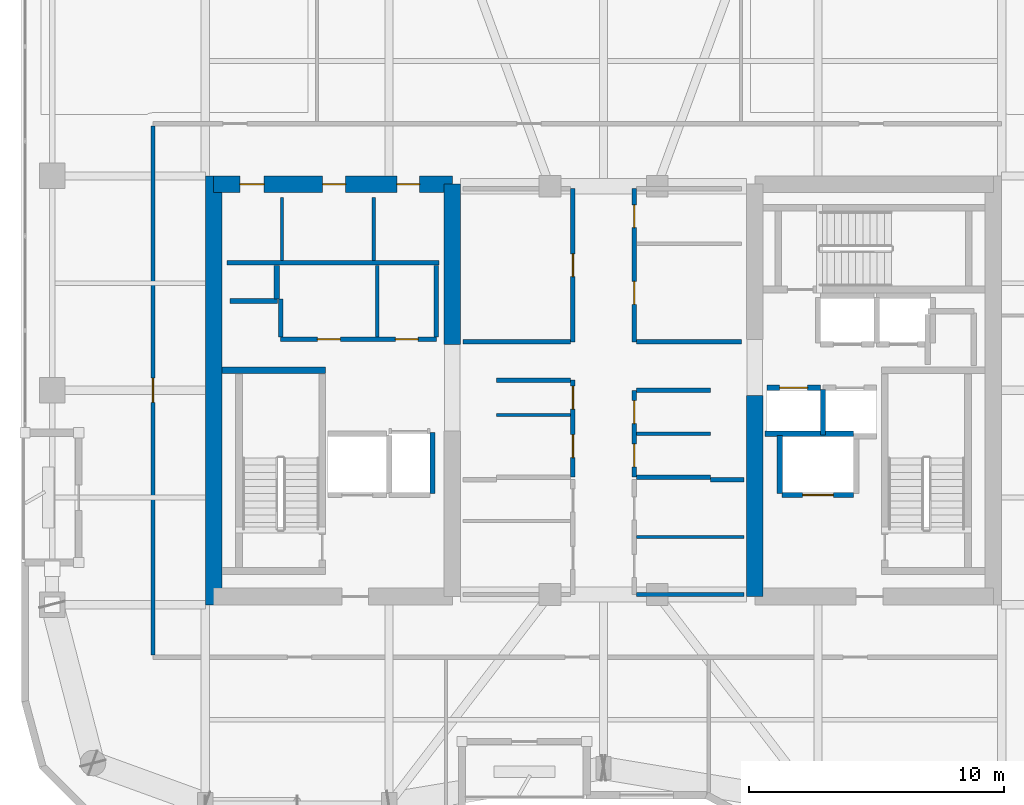
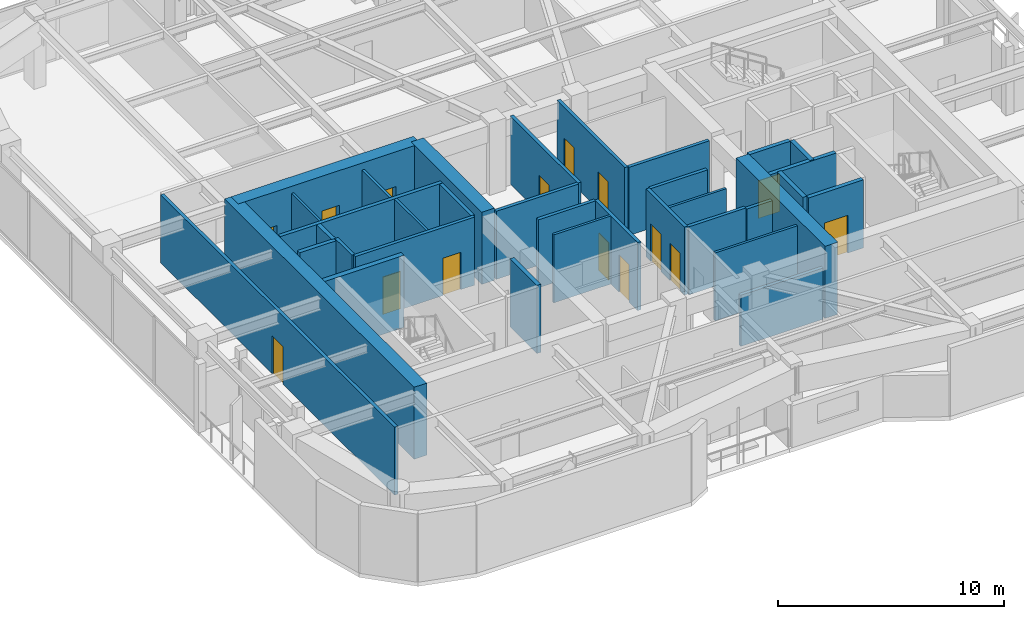
# One storey, part 16 of 21: 35 walls, 15 doors, 15 openings.
"""IFC4 building model written with IfcOpenShell, lengths in metres."""

import ifcopenshell
import ifcopenshell.guid

model = None  # the IFC model being written
_history = None  # IfcOwnerHistory: only IFC2X3 demands one
_inside = {}  # id of a spatial element -> (the spatial element, [elements in it])
_under = {}  # id of a project, library or spatial element -> (it, [spatial elements below it])
_declared = {}  # id of a project -> (the project, [libraries it declares])
_typed = {}  # id of a type object -> (the type object, [elements of that type])
_made_of = {}  # id of a material, layer set ... -> (it, [elements and type objects made of it])


def new_model(schema):
    """Start an empty IFC model of exactly this schema.

    Asked for "IFC4X3", IfcOpenShell would pick the latest addendum, in which some entities
    have other attributes; the version numbers below select the first issue.
    IFC2X3 requires an IfcOwnerHistory on every rooted entity: one is made here for all.
    """
    global model, _history
    if schema == "IFC4X3":
        model = ifcopenshell.file(schema_version=(4, 3, 0, 0))
    else:
        model = ifcopenshell.file(schema=schema)
    _inside.clear()
    _under.clear()
    _declared.clear()
    _typed.clear()
    _made_of.clear()
    _history = None
    if model.schema == "IFC2X3":
        org = make("IfcOrganization", Name="unknown")
        user = make(
            "IfcPersonAndOrganization",
            ThePerson=make("IfcPerson", FamilyName="unknown"),
            TheOrganization=org,
        )
        app = make(
            "IfcApplication",
            ApplicationDeveloper=org,
            Version="unknown",
            ApplicationFullName="unknown",
            ApplicationIdentifier="unknown",
        )
        _history = make(
            "IfcOwnerHistory",
            OwningUser=user,
            OwningApplication=app,
            ChangeAction="ADDED",
            CreationDate=0,
        )
    return model


def make(cls, **values):
    """One entity of the class cls with the attributes given. An attribute that is None is left unset."""
    return model.create_entity(
        cls, **{name: value for name, value in values.items() if value is not None}
    )


def rooted(cls, **values):
    """An entity with a GlobalId (a new one), such as an element, a storey or a relation."""
    return make(cls, GlobalId=ifcopenshell.guid.new(), OwnerHistory=_history, **values)


def si_unit(unit_type, name, prefix=None):
    """IfcSIUnit, for example si_unit("LENGTHUNIT", "METRE", prefix="MILLI")."""
    return make("IfcSIUnit", UnitType=unit_type, Prefix=prefix, Name=name)


def assignment(units):
    """IfcUnitAssignment: the units of a project."""
    return None if units is None else make("IfcUnitAssignment", Units=units)


def point(xyz):
    """IfcCartesianPoint."""
    return None if xyz is None else make("IfcCartesianPoint", Coordinates=xyz)


def direction(xyz):
    """IfcDirection."""
    return None if xyz is None else make("IfcDirection", DirectionRatios=xyz)


def frame(location, z_axis=None, x_axis=None):
    """IfcAxis2Placement3D, a coordinate frame: its origin and axes. An axis left out is left unset."""
    return make(
        "IfcAxis2Placement3D",
        Location=point(location),
        Axis=direction(z_axis),
        RefDirection=direction(x_axis),
    )


def frame_2d(location, x_axis=None):
    """IfcAxis2Placement2D, a coordinate frame in the plane: its origin and x axis."""
    return make(
        "IfcAxis2Placement2D", Location=point(location), RefDirection=direction(x_axis)
    )


def origin():
    """The frame at (0, 0, 0) with its axes left unset."""
    return frame((0.0, 0.0, 0.0))


def place(relative_to, where):
    """IfcLocalPlacement: puts the frame where relative to a parent placement (None: the world)."""
    return make(
        "IfcLocalPlacement", PlacementRelTo=relative_to, RelativePlacement=where
    )


def context(
    kind, dimensions, precision=None, world=None, true_north=None, identifier=None
):
    """IfcGeometricRepresentationContext, for example the 3D "Model" context."""
    return make(
        "IfcGeometricRepresentationContext",
        ContextIdentifier=identifier,
        ContextType=kind,
        CoordinateSpaceDimension=dimensions,
        Precision=precision,
        WorldCoordinateSystem=world,
        TrueNorth=true_north,
    )


def subcontext(parent, identifier, kind, view, scale=None):
    """IfcGeometricRepresentationSubContext, for example "Body" below "Model"."""
    return make(
        "IfcGeometricRepresentationSubContext",
        ContextIdentifier=identifier,
        ContextType=kind,
        ParentContext=parent,
        TargetScale=scale,
        TargetView=view,
    )


def project(units=None, contexts=None):
    """IfcProject with its units and contexts."""
    return rooted(
        "IfcProject",
        Name="project",
        RepresentationContexts=contexts,
        UnitsInContext=assignment(units),
    )


def spatial(cls, under=None, at=None, **own):
    """A site, building, storey or space (cls), placed at a placement, below another one or the project."""
    s = rooted(cls, ObjectPlacement=at, **own)
    if under is not None:
        _under.setdefault(under.id(), (under, []))[1].append(s)
    return s


def profile(cls, at=None, kind="AREA", **sizes):
    """A parametric profile (cls). Its sizes go by their IFC names, for example OverallWidth=200.0."""
    return make(cls, ProfileType=kind, Position=at, **sizes)


def rectangle(**sizes):
    """IfcRectangleProfileDef."""
    return profile("IfcRectangleProfileDef", **sizes)


def extrude(swept, where, along, depth):
    """IfcExtrudedAreaSolid: the profile swept, set in the frame where, extruded along a direction by depth."""
    return make(
        "IfcExtrudedAreaSolid",
        SweptArea=swept,
        Position=where,
        ExtrudedDirection=direction(along),
        Depth=depth,
    )


def shape(context_of_items, identifier, shape_type, items):
    """IfcShapeRepresentation: the items that make up one representation, for example the "Body"."""
    return make(
        "IfcShapeRepresentation",
        ContextOfItems=context_of_items,
        RepresentationIdentifier=identifier,
        RepresentationType=shape_type,
        Items=items,
    )


def material(Name=None, Category=None):
    """IfcMaterial."""
    return make("IfcMaterial", Name=Name, Category=Category)


def layer(
    of_material, thickness, ventilated=None, Name=None, Category=None, Priority=None
):
    """IfcMaterialLayer: one layer of a wall or slab, of a material (None: an air gap)."""
    return make(
        "IfcMaterialLayer",
        Material=of_material,
        LayerThickness=thickness,
        IsVentilated=ventilated,
        Name=Name,
        Category=Category,
        Priority=Priority,
    )


def layer_set(layers, Name=None):
    """IfcMaterialLayerSet."""
    return make("IfcMaterialLayerSet", MaterialLayers=layers, LayerSetName=Name)


def made_of(thing, what):
    """Note that an element or type object is made of a material, layer set ...; save() writes the relation."""
    if what is not None:
        _made_of.setdefault(what.id(), (what, []))[1].append(thing)
    return thing


def type_object(cls, material=None, **own):
    """A type object (cls), such as IfcWallType, which elements share."""
    return made_of(rooted(cls, **own), material)


def element(
    cls,
    number,
    at=None,
    inside=None,
    cuts=None,
    type_object=None,
    material=None,
    context=None,
    identifier="Body",
    shape_type=None,
    held_by="IfcProductDefinitionShape",
    body=None,
    shapes=None,
    **own,
):
    """One element of the class cls, such as IfcWall. Its Tag is "e" and its number.

    at: its placement. inside: the storey or other place that contains it. cuts: it is an
    opening in that element (IfcRelVoidsElement). A single representation is given by context,
    identifier, shape_type and body (its items); several are given by shapes. held_by: the class
    of the entity that holds the representations. save() writes the other relations.
    """
    e = rooted(cls, Tag="e%d" % number, ObjectPlacement=at, **own)
    if body is not None:
        shapes = [shape(context, identifier, shape_type, body)]
    if shapes is not None:
        e.Representation = make(held_by, Representations=shapes)
    if inside is not None:
        _inside.setdefault(inside.id(), (inside, []))[1].append(e)
    if cuts is not None:
        rooted(
            "IfcRelVoidsElement", RelatingBuildingElement=cuts, RelatedOpeningElement=e
        )
    if type_object is not None:
        _typed.setdefault(type_object.id(), (type_object, []))[1].append(e)
    return made_of(e, material)


def fill(opening, filler):
    """IfcRelFillsElement: the door or window that sits in an opening."""
    return rooted(
        "IfcRelFillsElement",
        RelatingOpeningElement=opening,
        RelatedBuildingElement=filler,
    )


def aggregate(whole, parts):
    """IfcRelAggregates: a whole, such as a stair, and the parts it consists of."""
    return rooted("IfcRelAggregates", RelatingObject=whole, RelatedObjects=parts)


def save(model, path):
    """Write the relations noted so far, then the file.

    IfcRelAggregates (storeys below a building ...), IfcRelContainedInSpatialStructure (elements
    in a storey), IfcRelDefinesByType, IfcRelAssociatesMaterial and IfcRelDeclares: one each for
    every whole, place, type object, material and project.
    """
    for whole, parts in _under.values():
        aggregate(whole, parts)
    for where, things in _inside.values():
        rooted(
            "IfcRelContainedInSpatialStructure",
            RelatedElements=things,
            RelatingStructure=where,
        )
    for kind, things in _typed.values():
        rooted("IfcRelDefinesByType", RelatedObjects=things, RelatingType=kind)
    for what, things in _made_of.values():
        rooted("IfcRelAssociatesMaterial", RelatedObjects=things, RelatingMaterial=what)
    for by, libraries in _declared.values():
        rooted("IfcRelDeclares", RelatingContext=by, RelatedDefinitions=libraries)
    model.write(path)


model = new_model("IFC4")

# Units and contexts
model_context = context("Model", 3, precision=1e-05, world=origin(), true_north=direction((0.0, 1.0)))
body_context = subcontext(model_context, "Body", "Model", "MODEL_VIEW")
ifc_project = project(units=[si_unit("LENGTHUNIT", "METRE"), si_unit("AREAUNIT", "SQUARE_METRE"), si_unit("VOLUMEUNIT", "CUBIC_METRE"), si_unit("PLANEANGLEUNIT", "RADIAN"), si_unit("MASSUNIT", "GRAM", prefix="KILO")], contexts=[model_context])

# Site, building, storey
site_placement = place(None, origin())
site = spatial("IfcSite", under=ifc_project, at=site_placement, CompositionType="ELEMENT")
building_placement = place(site_placement, origin())
building = spatial("IfcBuilding", under=site, at=building_placement, Name="Kiyonajd Concourse Tower", CompositionType="ELEMENT")
storey_placement = place(building_placement, frame((0.0, 0.0, 234.89990234375)))
storey = spatial("IfcBuildingStorey", under=building, at=storey_placement, Name="L59", CompositionType="ELEMENT", Elevation=234.89990234375)

# Walls
ifc_material_1 = material(Name="Concrete C60/75", Category="concrete")
ifc_layer_1 = layer(ifc_material_1, 0.64990234375)
ifc_layer_set_1 = layer_set([ifc_layer_1], Name="Concrete C60/75")
wall_type_1 = type_object("IfcWallType", Name="WL-CORE-650", PredefinedType="SHEAR", material=ifc_layer_set_1)
wall_1_placement = place(storey_placement, frame((32.72509765625, 27.60009765625, 0.0), z_axis=(0.0, 0.0, 1.0), x_axis=(0.0, 1.0, 0.0)))
element("IfcWall", 1, at=wall_1_placement, inside=storey, type_object=wall_type_1, Name="L59 West Core Outer Shear Wall", PredefinedType="SHEAR", context=body_context, shape_type="SweptSolid", body=[
    extrude(rectangle(XDim=16.7998046875, YDim=0.64990234375, at=frame_2d((8.39990234375, 0.0))), origin(), (0.0, 0.0, 1.0), 3.900146484375),
])
wall_2_placement = place(storey_placement, frame((42.074951171875, 37.800048828125, 0.0), z_axis=(0.0, 0.0, 1.0), x_axis=(0.0, 1.0, 0.0)))
element("IfcWall", 2, at=wall_2_placement, inside=storey, type_object=wall_type_1, Name="L59 West Core Inner North Shear Wall", PredefinedType="SHEAR", context=body_context, shape_type="SweptSolid", body=[
    extrude(rectangle(XDim=6.27490234375, YDim=0.64990234375, at=frame_2d((3.137451171875, 0.0))), origin(), (0.0, 0.0, 1.0), 3.900146484375),
])

# Wall, openings, doors
wall_3_placement = place(storey_placement, frame((32.72509765625, 44.074951171875, 0.0), z_axis=(0.0, 0.0, 1.0), x_axis=(1.0, 0.0, 0.0)))
wall_3 = element("IfcWall", 3, at=wall_3_placement, inside=storey, type_object=wall_type_1, Name="L59 West Core North Shear Wall", PredefinedType="SHEAR", context=body_context, shape_type="SweptSolid", body=[
    extrude(rectangle(XDim=9.349853515625, YDim=0.64990234375, at=frame_2d((4.6748046875, 0.0))), origin(), (0.0, 0.0, 1.0), 3.900146484375),
])
opening_1_placement = place(wall_3_placement, frame((1.02490234375, 0.0, 0.0)))
opening_1 = element("IfcOpeningElement", 4, at=opening_1_placement, cuts=wall_3, Name="Opening DI1", PredefinedType="OPENING", context=body_context, shape_type="SweptSolid", body=[
    extrude(rectangle(XDim=0.949951171875, YDim=2.0400390625, at=frame_2d((0.47509765625, 1.02001953125))), frame((0.0, 0.3349609375, 0.0), z_axis=(0.0, -1.0, 0.0), x_axis=(1.0, 0.0, 0.0)), (0.0, 0.0, 1.0), 0.669921875),
])
opening_2_placement = place(wall_3_placement, frame((4.27490234375, 0.0, 0.0)))
opening_2 = element("IfcOpeningElement", 5, at=opening_2_placement, cuts=wall_3, Name="Opening DI2", PredefinedType="OPENING", context=body_context, shape_type="SweptSolid", body=[
    extrude(rectangle(XDim=0.89990234375, YDim=2.02001953125, at=frame_2d((0.449951171875, 1.010009765625))), frame((0.0, 0.3349609375, 0.0), z_axis=(0.0, -1.0, 0.0), x_axis=(1.0, 0.0, 0.0)), (0.0, 0.0, 1.0), 0.669921875),
])
opening_3_placement = place(wall_3_placement, frame((7.175048828125, 0.0, 0.0)))
opening_3 = element("IfcOpeningElement", 6, at=opening_3_placement, cuts=wall_3, Name="Opening DI2", PredefinedType="OPENING", context=body_context, shape_type="SweptSolid", body=[
    extrude(rectangle(XDim=0.89990234375, YDim=2.02001953125, at=frame_2d((0.449951171875, 1.010009765625))), frame((0.0, 0.3349609375, 0.0), z_axis=(0.0, -1.0, 0.0), x_axis=(1.0, 0.0, 0.0)), (0.0, 0.0, 1.0), 0.669921875),
])
ifc_material_2 = material(Name="Natural Oak Acoustic Timber Veneer", Category="wood")
door_type_1 = type_object("IfcDoorType", Name="DR-INT-900", OperationType="NOTDEFINED", PredefinedType="DOOR", material=ifc_material_2)
door_1_placement = place(opening_2_placement, origin())
door_1 = element("IfcDoor", 7, at=door_1_placement, inside=storey, type_object=door_type_1, Name="L59 Male Restroom Door", OperationType="SINGLE_SWING_RIGHT", OverallHeight=2.02001953125, OverallWidth=0.89990234375, PredefinedType="DOOR", context=body_context, shape_type="SweptSolid", body=[
    extrude(rectangle(XDim=0.89990234375, YDim=2.02001953125, at=frame_2d((0.449951171875, 1.010009765625))), frame((0.0, 0.02490234375, 0.0), z_axis=(0.0, -1.0, 0.0), x_axis=(1.0, 0.0, 0.0)), (0.0, 0.0, 1.0), 0.050048828125),
])
fill(opening_2, door_1)
door_2_placement = place(opening_3_placement, origin())
door_2 = element("IfcDoor", 8, at=door_2_placement, inside=storey, type_object=door_type_1, Name="L59 Female Restroom Door", OperationType="SINGLE_SWING_LEFT", OverallHeight=2.02001953125, OverallWidth=0.89990234375, PredefinedType="DOOR", context=body_context, shape_type="SweptSolid", body=[
    extrude(rectangle(XDim=0.89990234375, YDim=2.02001953125, at=frame_2d((0.449951171875, 1.010009765625))), frame((0.0, 0.02490234375, 0.0), z_axis=(0.0, -1.0, 0.0), x_axis=(1.0, 0.0, 0.0)), (0.0, 0.0, 1.0), 0.050048828125),
])
fill(opening_3, door_2)
door_type_2 = type_object("IfcDoorType", Name="DR-INT-950", OperationType="NOTDEFINED", PredefinedType="DOOR", material=ifc_material_2)
door_3_placement = place(opening_1_placement, origin())
door_3 = element("IfcDoor", 9, at=door_3_placement, inside=storey, type_object=door_type_2, Name="L59 Single User Accessible WC Door", OperationType="SINGLE_SWING_LEFT", OverallHeight=2.0400390625, OverallWidth=0.949951171875, PredefinedType="DOOR", context=body_context, shape_type="SweptSolid", body=[
    extrude(rectangle(XDim=0.949951171875, YDim=2.0400390625, at=frame_2d((0.47509765625, 1.02001953125))), frame((0.0, 0.02490234375, 0.0), z_axis=(0.0, -1.0, 0.0), x_axis=(1.0, 0.0, 0.0)), (0.0, 0.0, 1.0), 0.050048828125),
])
fill(opening_1, door_3)

# Walls
wall_4_placement = place(storey_placement, frame((53.925048828125, 27.925048828125, 0.0), z_axis=(0.0, 0.0, 1.0), x_axis=(0.0, 1.0, 0.0)))
element("IfcWall", 10, at=wall_4_placement, inside=storey, type_object=wall_type_1, Name="L59 East Core Inner South Shear Wall", PredefinedType="SHEAR", context=body_context, shape_type="SweptSolid", body=[
    extrude(rectangle(XDim=7.875, YDim=0.64990234375, at=frame_2d((3.9375, 0.0))), origin(), (0.0, 0.0, 1.0), 3.900146484375),
])
ifc_material_3 = material(Name="Gypsum Board on Cold-Formed Steel Stud", Category="steel")
ifc_layer_2 = layer(ifc_material_3, 0.125)
ifc_layer_set_2 = layer_set([ifc_layer_2], Name="Gypsum Board on Cold-Formed Steel Stud")
wall_type_2 = type_object("IfcWallType", Name="WL-PART-125", PredefinedType="PARTITIONING", material=ifc_layer_set_2)
for number, where, z_axis, x_axis, name in (
    (11, (35.39990234375, 41.094970703125, 0.0), (0.0, 0.0, 1.0), (0.0, 1.0, 0.0), "L59 Interior Partition Wall"),
    (12, (39.0, 41.094970703125, 0.0), (0.0, 0.0, 1.0), (0.0, 1.0, 0.0), "L59 Interior Partition Wall"),
):
    element("IfcWall", number, at=place(storey_placement, frame(where, z_axis=z_axis, x_axis=x_axis)), inside=storey, type_object=wall_type_2, Name=name, PredefinedType="PARTITIONING", context=body_context, shape_type="SweptSolid", body=[
        extrude(rectangle(XDim=2.455078125, YDim=0.125, at=frame_2d((1.2275390625, 0.0))), origin(), (0.0, 0.0, 1.0), 3.68017578125),
    ])
wall_5_placement = place(storey_placement, frame((39.132080078125, 38.0869140625, 0.0), z_axis=(0.0, 0.0, 1.0), x_axis=(0.0, 1.0, 0.0)))
element("IfcWall", 13, at=wall_5_placement, inside=storey, type_object=wall_type_2, Name="L59 Interior Partition Wall", PredefinedType="PARTITIONING", context=body_context, shape_type="SweptSolid", body=[
    extrude(rectangle(XDim=2.81298828125, YDim=0.125, at=frame_2d((1.406494140625, 0.0))), origin(), (0.0, 0.0, 1.0), 3.68017578125),
])
for number, where, z_axis, x_axis, name in (
    (14, (43.800048828125, 35.031982421875, 0.0), (0.0, 0.0, 1.0), (1.0, 0.0, 0.0), "L59 Interior Partition Wall"),
    (15, (49.287109375, 34.300048828125, 0.0), (0.0, 0.0, 1.0), (1.0, 0.0, 0.0), "L59 Interior Partition Wall"),
):
    element("IfcWall", number, at=place(storey_placement, frame(where, z_axis=z_axis, x_axis=x_axis)), inside=storey, type_object=wall_type_2, Name=name, PredefinedType="PARTITIONING", context=body_context, shape_type="SweptSolid", body=[
        extrude(rectangle(XDim=2.912841796875, YDim=0.125, at=frame_2d((1.45654296875, 0.0))), origin(), (0.0, 0.0, 1.0), 3.68017578125),
    ])
wall_6_placement = place(storey_placement, frame((49.287109375, 30.25, 0.0), z_axis=(0.0, 0.0, 1.0), x_axis=(1.0, 0.0, 0.0)))
element("IfcWall", 16, at=wall_6_placement, inside=storey, type_object=wall_type_2, Name="L59 Interior Partition Wall", PredefinedType="PARTITIONING", context=body_context, shape_type="SweptSolid", body=[
    extrude(rectangle(XDim=4.212890625, YDim=0.125, at=frame_2d((2.1064453125, 0.0))), origin(), (0.0, 0.0, 1.0), 3.68017578125),
])
ifc_layer_3 = layer(ifc_material_3, 0.18994140625)
ifc_layer_set_3 = layer_set([ifc_layer_3], Name="Gypsum Board on Cold-Formed Steel Stud")
wall_type_3 = type_object("IfcWallType", Name="WL-PLMB-190", PredefinedType="PLUMBINGWALL", material=ifc_layer_set_3)
wall_7_placement = place(storey_placement, frame((33.25, 41.0, 0.0), z_axis=(0.0, 0.0, 1.0), x_axis=(1.0, 0.0, 0.0)))
element("IfcWall", 17, at=wall_7_placement, inside=storey, type_object=wall_type_3, Name="L59 Interior Partition Wall", PredefinedType="PLUMBINGWALL", context=body_context, shape_type="SweptSolid", body=[
    extrude(rectangle(XDim=8.300048828125, YDim=0.18994140625, at=frame_2d((4.14990234375, 0.0))), origin(), (0.0, 0.0, 1.0), 3.68017578125),
])
ifc_layer_4 = layer(ifc_material_3, 0.2099609375)
ifc_layer_set_4 = layer_set([ifc_layer_4], Name="Gypsum Board on Cold-Formed Steel Stud")
wall_type_4 = type_object("IfcWallType", Name="WL-SHAFT-210", PredefinedType="PARTITIONING", material=ifc_layer_set_4)
wall_8_placement = place(storey_placement, frame((33.360107421875, 39.5, 0.0), z_axis=(0.0, 0.0, 1.0), x_axis=(1.0, 0.0, 0.0)))
element("IfcWall", 18, at=wall_8_placement, inside=storey, type_object=wall_type_4, Name="L59 Shaft Enclosure Wall", PredefinedType="PARTITIONING", context=body_context, shape_type="SweptSolid", body=[
    extrude(rectangle(XDim=1.85986328125, YDim=0.2099609375, at=frame_2d((0.929931640625, 0.0))), origin(), (0.0, 0.0, 1.0), 3.68017578125),
])
wall_9_placement = place(storey_placement, frame((35.199951171875, 39.580078125, 0.0), z_axis=(0.0, 0.0, 1.0), x_axis=(0.0, 1.0, 0.0)))
element("IfcWall", 19, at=wall_9_placement, inside=storey, type_object=wall_type_4, Name="L59 Shaft Enclosure Wall", PredefinedType="PARTITIONING", context=body_context, shape_type="SweptSolid", body=[
    extrude(rectangle(XDim=1.31982421875, YDim=0.2099609375, at=frame_2d((0.659912109375, 0.0))), origin(), (0.0, 0.0, 1.0), 3.68017578125),
])

# Wall, opening, door
wall_10_placement = place(storey_placement, frame((55.0, 31.89990234375, 0.0), z_axis=(0.0, 0.0, 1.0), x_axis=(1.0, 0.0, 0.0)))
wall_10 = element("IfcWall", 20, at=wall_10_placement, inside=storey, type_object=wall_type_4, Name="L59 Shaft Enclosure Wall", PredefinedType="PARTITIONING", context=body_context, shape_type="SweptSolid", body=[
    extrude(rectangle(XDim=2.800048828125, YDim=0.2099609375, at=frame_2d((1.39990234375, 0.0))), origin(), (0.0, 0.0, 1.0), 3.68017578125),
])
opening_4_placement = place(wall_10_placement, frame((0.800048828125, 0.0, 0.0)))
opening_4 = element("IfcOpeningElement", 21, at=opening_4_placement, cuts=wall_10, Name="Opening LD2", PredefinedType="OPENING", context=body_context, shape_type="SweptSolid", body=[
    extrude(rectangle(XDim=1.199951171875, YDim=2.0400390625, at=frame_2d((0.60009765625, 1.02001953125))), frame((0.0, 0.114990234375, 0.0), z_axis=(0.0, -1.0, 0.0), x_axis=(1.0, 0.0, 0.0)), (0.0, 0.0, 1.0), 0.22998046875),
])
ifc_material_4 = material(Name="Brushed Stainless Steel Cab Assembly", Category="steel")
door_type_3 = type_object("IfcDoorType", Name="DR-LD-1200", OperationType="DOUBLE_DOOR_SLIDING", PredefinedType="DOOR", material=ifc_material_4)
door_4_placement = place(opening_4_placement, origin())
door_4 = element("IfcDoor", 22, at=door_4_placement, inside=storey, type_object=door_type_3, Name="L59 Lift FFL2 Sliding Landing Door", OperationType="DOUBLE_DOOR_SLIDING", OverallHeight=2.0400390625, OverallWidth=1.199951171875, PredefinedType="DOOR", context=body_context, shape_type="SweptSolid", body=[
    extrude(rectangle(XDim=1.199951171875, YDim=2.0400390625, at=frame_2d((0.60009765625, 1.02001953125))), frame((0.0, 0.02490234375, 0.0), z_axis=(0.0, -1.0, 0.0), x_axis=(1.0, 0.0, 0.0)), (0.0, 0.0, 1.0), 0.050048828125),
])
fill(opening_4, door_4)

# Walls
wall_11_placement = place(storey_placement, frame((54.320068359375, 34.300048828125, 0.0), z_axis=(0.0, 0.0, 1.0), x_axis=(1.0, 0.0, 0.0)))
element("IfcWall", 23, at=wall_11_placement, inside=storey, type_object=wall_type_4, Name="L59 Shaft Enclosure Wall", PredefinedType="PARTITIONING", context=body_context, shape_type="SweptSolid", body=[
    extrude(rectangle(XDim=3.47998046875, YDim=0.2099609375, at=frame_2d((1.739990234375, 0.0))), origin(), (0.0, 0.0, 1.0), 3.68017578125),
])
wall_12_placement = place(storey_placement, frame((54.89990234375, 31.9599609375, 0.0), z_axis=(0.0, 0.0, 1.0), x_axis=(0.0, 1.0, 0.0)))
element("IfcWall", 24, at=wall_12_placement, inside=storey, type_object=wall_type_4, Name="L59 Shaft Enclosure Wall", PredefinedType="PARTITIONING", context=body_context, shape_type="SweptSolid", body=[
    extrude(rectangle(XDim=2.280029296875, YDim=0.2099609375, at=frame_2d((1.14013671875, 0.0))), origin(), (0.0, 0.0, 1.0), 3.68017578125),
])
wall_13_placement = place(storey_placement, frame((41.300048828125, 31.9599609375, 0.0), z_axis=(0.0, 0.0, 1.0), x_axis=(0.0, 1.0, 0.0)))
element("IfcWall", 25, at=wall_13_placement, inside=storey, type_object=wall_type_4, Name="L59 Shaft Enclosure Wall", PredefinedType="PARTITIONING", context=body_context, shape_type="SweptSolid", body=[
    extrude(rectangle(XDim=2.380126953125, YDim=0.2099609375, at=frame_2d((1.18994140625, 0.0))), origin(), (0.0, 0.0, 1.0), 3.68017578125),
])

# Wall, opening, door
wall_14_placement = place(storey_placement, frame((54.39990234375, 36.10009765625, 0.0), z_axis=(0.0, 0.0, 1.0), x_axis=(1.0, 0.0, 0.0)))
wall_14 = element("IfcWall", 26, at=wall_14_placement, inside=storey, type_object=wall_type_4, Name="L59 Shaft Enclosure Wall", PredefinedType="PARTITIONING", context=body_context, shape_type="SweptSolid", body=[
    extrude(rectangle(XDim=2.10009765625, YDim=0.2099609375, at=frame_2d((1.050048828125, 0.0))), origin(), (0.0, 0.0, 1.0), 3.68017578125),
])
opening_5_placement = place(wall_14_placement, frame((0.5, 0.0, 0.0)))
opening_5 = element("IfcOpeningElement", 27, at=opening_5_placement, cuts=wall_14, Name="Opening LD1", PredefinedType="OPENING", context=body_context, shape_type="SweptSolid", body=[
    extrude(rectangle(XDim=1.10009765625, YDim=2.0400390625, at=frame_2d((0.550048828125, 1.02001953125))), frame((0.0, 0.114990234375, 0.0), z_axis=(0.0, -1.0, 0.0), x_axis=(1.0, 0.0, 0.0)), (0.0, 0.0, 1.0), 0.22998046875),
])
door_type_4 = type_object("IfcDoorType", Name="DR-LD-1100", OperationType="DOUBLE_DOOR_SLIDING", PredefinedType="DOOR", material=ifc_material_4)
door_5_placement = place(opening_5_placement, origin())
door_5 = element("IfcDoor", 28, at=door_5_placement, inside=storey, type_object=door_type_4, Name="L59 Lift PL-H1 Sliding Landing Door", OperationType="DOUBLE_DOOR_SLIDING", OverallHeight=2.0400390625, OverallWidth=1.10009765625, PredefinedType="DOOR", context=body_context, shape_type="SweptSolid", body=[
    extrude(rectangle(XDim=1.10009765625, YDim=2.0400390625, at=frame_2d((0.550048828125, 1.02001953125))), frame((0.0, 0.02490234375, 0.0), z_axis=(0.0, -1.0, 0.0), x_axis=(1.0, 0.0, 0.0)), (0.0, 0.0, 1.0), 0.050048828125),
])
fill(opening_5, door_5)

# Wall
wall_15_placement = place(storey_placement, frame((56.60009765625, 34.260009765625, 0.0), z_axis=(0.0, 0.0, 1.0), x_axis=(0.0, 1.0, 0.0)))
element("IfcWall", 29, at=wall_15_placement, inside=storey, type_object=wall_type_4, Name="L59 Shaft Enclosure Wall", PredefinedType="PARTITIONING", context=body_context, shape_type="SweptSolid", body=[
    extrude(rectangle(XDim=1.780029296875, YDim=0.2099609375, at=frame_2d((0.89013671875, 0.0))), origin(), (0.0, 0.0, 1.0), 3.68017578125),
])

# Wall, openings, doors
ifc_layer_5 = layer(ifc_material_3, 0.169921875)
ifc_layer_set_5 = layer_set([ifc_layer_5], Name="Gypsum Board on Cold-Formed Steel Stud")
wall_type_5 = type_object("IfcWallType", Name="WL-SMK-170", PredefinedType="PARTITIONING", material=ifc_layer_set_5)
wall_16_placement = place(storey_placement, frame((35.35009765625, 38.0, 0.0), z_axis=(0.0, 0.0, 1.0), x_axis=(1.0, 0.0, 0.0)))
wall_16 = element("IfcWall", 30, at=wall_16_placement, inside=storey, type_object=wall_type_5, Name="L59 Interior Partition Wall", PredefinedType="PARTITIONING", context=body_context, shape_type="SweptSolid", body=[
    extrude(rectangle(XDim=6.099853515625, YDim=0.169921875, at=frame_2d((3.0498046875, 0.0))), origin(), (0.0, 0.0, 1.0), 3.68017578125),
])
opening_6_placement = place(wall_16_placement, frame((1.44091796875, 0.0, 0.0)))
opening_6 = element("IfcOpeningElement", 31, at=opening_6_placement, cuts=wall_16, Name="Opening DF4", PredefinedType="OPENING", context=body_context, shape_type="SweptSolid", body=[
    extrude(rectangle(XDim=0.89990234375, YDim=2.02001953125, at=frame_2d((0.449951171875, 1.010009765625))), frame((0.0, 0.094970703125, 0.0), z_axis=(0.0, -1.0, 0.0), x_axis=(1.0, 0.0, 0.0)), (0.0, 0.0, 1.0), 0.18994140625),
])
opening_7_placement = place(wall_16_placement, frame((4.490966796875, 0.0, 0.0)))
opening_7 = element("IfcOpeningElement", 32, at=opening_7_placement, cuts=wall_16, Name="Opening DF4", PredefinedType="OPENING", context=body_context, shape_type="SweptSolid", body=[
    extrude(rectangle(XDim=0.89990234375, YDim=2.02001953125, at=frame_2d((0.449951171875, 1.010009765625))), frame((0.0, 0.094970703125, 0.0), z_axis=(0.0, -1.0, 0.0), x_axis=(1.0, 0.0, 0.0)), (0.0, 0.0, 1.0), 0.18994140625),
])
door_type_5 = type_object("IfcDoorType", Name="DR-FD60-900", OperationType="NOTDEFINED", PredefinedType="DOOR", material=ifc_material_4)
door_6_placement = place(opening_6_placement, origin())
door_6 = element("IfcDoor", 33, at=door_6_placement, inside=storey, type_object=door_type_5, Name="L59 Interior Door", OperationType="SINGLE_SWING_RIGHT", OverallHeight=2.02001953125, OverallWidth=0.89990234375, PredefinedType="DOOR", context=body_context, shape_type="SweptSolid", body=[
    extrude(rectangle(XDim=0.89990234375, YDim=2.02001953125, at=frame_2d((0.449951171875, 1.010009765625))), frame((0.0, 0.02490234375, 0.0), z_axis=(0.0, -1.0, 0.0), x_axis=(1.0, 0.0, 0.0)), (0.0, 0.0, 1.0), 0.050048828125),
])
fill(opening_6, door_6)
door_7_placement = place(opening_7_placement, origin())
door_7 = element("IfcDoor", 34, at=door_7_placement, inside=storey, type_object=door_type_5, Name="L59 Interior Door", OperationType="SINGLE_SWING_LEFT", OverallHeight=2.02001953125, OverallWidth=0.89990234375, PredefinedType="DOOR", context=body_context, shape_type="SweptSolid", body=[
    extrude(rectangle(XDim=0.89990234375, YDim=2.02001953125, at=frame_2d((0.449951171875, 1.010009765625))), frame((0.0, 0.02490234375, 0.0), z_axis=(0.0, -1.0, 0.0), x_axis=(1.0, 0.0, 0.0)), (0.0, 0.0, 1.0), 0.050048828125),
])
fill(opening_7, door_7)

# Walls
wall_17_placement = place(storey_placement, frame((35.35009765625, 38.0869140625, 0.0), z_axis=(0.0, 0.0, 1.0), x_axis=(0.0, 1.0, 0.0)))
element("IfcWall", 35, at=wall_17_placement, inside=storey, type_object=wall_type_5, Name="L59 Interior Partition Wall", PredefinedType="PARTITIONING", context=body_context, shape_type="SweptSolid", body=[
    extrude(rectangle(XDim=1.4931640625, YDim=0.169921875, at=frame_2d((0.74658203125, 0.0))), origin(), (0.0, 0.0, 1.0), 3.68017578125),
])
wall_18_placement = place(storey_placement, frame((41.449951171875, 38.0869140625, 0.0), z_axis=(0.0, 0.0, 1.0), x_axis=(0.0, 1.0, 0.0)))
element("IfcWall", 36, at=wall_18_placement, inside=storey, type_object=wall_type_5, Name="L59 Interior Partition Wall", PredefinedType="PARTITIONING", context=body_context, shape_type="SweptSolid", body=[
    extrude(rectangle(XDim=2.81298828125, YDim=0.169921875, at=frame_2d((1.406494140625, 0.0))), origin(), (0.0, 0.0, 1.0), 3.68017578125),
])

# Wall, openings, doors
wall_19_placement = place(storey_placement, frame((46.800048828125, 32.60009765625, 0.0), z_axis=(0.0, 0.0, 1.0), x_axis=(0.0, 1.0, 0.0)))
wall_19 = element("IfcWall", 37, at=wall_19_placement, inside=storey, type_object=wall_type_5, Name="L59 Interior Partition Wall", PredefinedType="PARTITIONING", context=body_context, shape_type="SweptSolid", body=[
    extrude(rectangle(XDim=3.7998046875, YDim=0.169921875, at=frame_2d((1.89990234375, 0.0))), origin(), (0.0, 0.0, 1.0), 3.68017578125),
])
opening_8_placement = place(wall_19_placement, frame((0.76611328125, 0.0, 0.0)))
opening_8 = element("IfcOpeningElement", 38, at=opening_8_placement, cuts=wall_19, Name="Opening DF4", PredefinedType="OPENING", context=body_context, shape_type="SweptSolid", body=[
    extrude(rectangle(XDim=0.89990234375, YDim=2.02001953125, at=frame_2d((0.449951171875, 1.010009765625))), frame((0.0, 0.094970703125, 0.0), z_axis=(0.0, -1.0, 0.0), x_axis=(1.0, 0.0, 0.0)), (0.0, 0.0, 1.0), 0.18994140625),
])
opening_9_placement = place(wall_19_placement, frame((2.666015625, 0.0, 0.0)))
opening_9 = element("IfcOpeningElement", 39, at=opening_9_placement, cuts=wall_19, Name="Opening DF4", PredefinedType="OPENING", context=body_context, shape_type="SweptSolid", body=[
    extrude(rectangle(XDim=0.89990234375, YDim=2.02001953125, at=frame_2d((0.449951171875, 1.010009765625))), frame((0.0, 0.094970703125, 0.0), z_axis=(0.0, -1.0, 0.0), x_axis=(1.0, 0.0, 0.0)), (0.0, 0.0, 1.0), 0.18994140625),
])
door_8_placement = place(opening_8_placement, origin())
door_8 = element("IfcDoor", 40, at=door_8_placement, inside=storey, type_object=door_type_5, Name="L59 Interior Door", OperationType="SINGLE_SWING_RIGHT", OverallHeight=2.02001953125, OverallWidth=0.89990234375, PredefinedType="DOOR", context=body_context, shape_type="SweptSolid", body=[
    extrude(rectangle(XDim=0.89990234375, YDim=2.02001953125, at=frame_2d((0.449951171875, 1.010009765625))), frame((0.0, 0.02490234375, 0.0), z_axis=(0.0, -1.0, 0.0), x_axis=(1.0, 0.0, 0.0)), (0.0, 0.0, 1.0), 0.050048828125),
])
fill(opening_8, door_8)
door_9_placement = place(opening_9_placement, origin())
door_9 = element("IfcDoor", 41, at=door_9_placement, inside=storey, type_object=door_type_5, Name="L59 Interior Door", OperationType="SINGLE_SWING_LEFT", OverallHeight=2.02001953125, OverallWidth=0.89990234375, PredefinedType="DOOR", context=body_context, shape_type="SweptSolid", body=[
    extrude(rectangle(XDim=0.89990234375, YDim=2.02001953125, at=frame_2d((0.449951171875, 1.010009765625))), frame((0.0, 0.02490234375, 0.0), z_axis=(0.0, -1.0, 0.0), x_axis=(1.0, 0.0, 0.0)), (0.0, 0.0, 1.0), 0.050048828125),
])
fill(opening_9, door_9)

# Wall
wall_20_placement = place(storey_placement, frame((43.800048828125, 36.39990234375, 0.0), z_axis=(0.0, 0.0, 1.0), x_axis=(1.0, 0.0, 0.0)))
element("IfcWall", 42, at=wall_20_placement, inside=storey, type_object=wall_type_5, Name="L59 Interior Partition Wall", PredefinedType="PARTITIONING", context=body_context, shape_type="SweptSolid", body=[
    extrude(rectangle(XDim=2.912841796875, YDim=0.169921875, at=frame_2d((1.45654296875, 0.0))), origin(), (0.0, 0.0, 1.0), 3.68017578125),
])

# Wall, openings, doors
wall_21_placement = place(storey_placement, frame((49.199951171875, 32.60009765625, 0.0), z_axis=(0.0, 0.0, 1.0), x_axis=(0.0, 1.0, 0.0)))
wall_21 = element("IfcWall", 43, at=wall_21_placement, inside=storey, type_object=wall_type_5, Name="L59 Interior Partition Wall", PredefinedType="PARTITIONING", context=body_context, shape_type="SweptSolid", body=[
    extrude(rectangle(XDim=3.39990234375, YDim=0.169921875, at=frame_2d((1.699951171875, 0.0))), origin(), (0.0, 0.0, 1.0), 3.68017578125),
])
opening_10_placement = place(wall_21_placement, frame((0.39990234375, 0.0, 0.0)))
opening_10 = element("IfcOpeningElement", 44, at=opening_10_placement, cuts=wall_21, Name="Opening DI2", PredefinedType="OPENING", context=body_context, shape_type="SweptSolid", body=[
    extrude(rectangle(XDim=0.89990234375, YDim=2.02001953125, at=frame_2d((0.449951171875, 1.010009765625))), frame((0.0, 0.094970703125, 0.0), z_axis=(0.0, -1.0, 0.0), x_axis=(1.0, 0.0, 0.0)), (0.0, 0.0, 1.0), 0.18994140625),
])
opening_11_placement = place(wall_21_placement, frame((2.10009765625, 0.0, 0.0)))
opening_11 = element("IfcOpeningElement", 45, at=opening_11_placement, cuts=wall_21, Name="Opening DI2", PredefinedType="OPENING", context=body_context, shape_type="SweptSolid", body=[
    extrude(rectangle(XDim=0.89990234375, YDim=2.02001953125, at=frame_2d((0.449951171875, 1.010009765625))), frame((0.0, 0.094970703125, 0.0), z_axis=(0.0, -1.0, 0.0), x_axis=(1.0, 0.0, 0.0)), (0.0, 0.0, 1.0), 0.18994140625),
])
door_10_placement = place(opening_10_placement, origin())
door_10 = element("IfcDoor", 46, at=door_10_placement, inside=storey, type_object=door_type_1, Name="L59 Interior Door", OperationType="SINGLE_SWING_RIGHT", OverallHeight=2.02001953125, OverallWidth=0.89990234375, PredefinedType="DOOR", context=body_context, shape_type="SweptSolid", body=[
    extrude(rectangle(XDim=0.89990234375, YDim=2.02001953125, at=frame_2d((0.449951171875, 1.010009765625))), frame((0.0, 0.02490234375, 0.0), z_axis=(0.0, -1.0, 0.0), x_axis=(1.0, 0.0, 0.0)), (0.0, 0.0, 1.0), 0.050048828125),
])
fill(opening_10, door_10)
door_11_placement = place(opening_11_placement, origin())
door_11 = element("IfcDoor", 47, at=door_11_placement, inside=storey, type_object=door_type_1, Name="L59 Interior Door", OperationType="SINGLE_SWING_LEFT", OverallHeight=2.02001953125, OverallWidth=0.89990234375, PredefinedType="DOOR", context=body_context, shape_type="SweptSolid", body=[
    extrude(rectangle(XDim=0.89990234375, YDim=2.02001953125, at=frame_2d((0.449951171875, 1.010009765625))), frame((0.0, 0.02490234375, 0.0), z_axis=(0.0, -1.0, 0.0), x_axis=(1.0, 0.0, 0.0)), (0.0, 0.0, 1.0), 0.050048828125),
])
fill(opening_11, door_11)

# Walls
for number, where, z_axis, x_axis, name in (
    (48, (49.287109375, 32.60009765625, 0.0), (0.0, 0.0, 1.0), (1.0, 0.0, 0.0), "L59 Interior Partition Wall"),
    (49, (49.287109375, 36.0, 0.0), (0.0, 0.0, 1.0), (1.0, 0.0, 0.0), "L59 Interior Partition Wall"),
):
    element("IfcWall", number, at=place(storey_placement, frame(where, z_axis=z_axis, x_axis=x_axis)), inside=storey, type_object=wall_type_5, Name=name, PredefinedType="PARTITIONING", context=body_context, shape_type="SweptSolid", body=[
        extrude(rectangle(XDim=2.912841796875, YDim=0.169921875, at=frame_2d((1.45654296875, 0.0))), origin(), (0.0, 0.0, 1.0), 3.68017578125),
    ])
wall_22_placement = place(storey_placement, frame((49.287109375, 28.0, 0.0), z_axis=(0.0, 0.0, 1.0), x_axis=(1.0, 0.0, 0.0)))
element("IfcWall", 50, at=wall_22_placement, inside=storey, type_object=wall_type_5, Name="L59 Interior Partition Wall", PredefinedType="PARTITIONING", context=body_context, shape_type="SweptSolid", body=[
    extrude(rectangle(XDim=4.212890625, YDim=0.169921875, at=frame_2d((2.1064453125, 0.0))), origin(), (0.0, 0.0, 1.0), 2.76513671875),
])
wall_23_placement = place(storey_placement, frame((52.199951171875, 32.5, 0.0), z_axis=(0.0, 0.0, 1.0), x_axis=(1.0, 0.0, 0.0)))
element("IfcWall", 51, at=wall_23_placement, inside=storey, type_object=wall_type_5, Name="L59 Interior Partition Wall", PredefinedType="PARTITIONING", context=body_context, shape_type="SweptSolid", body=[
    extrude(rectangle(XDim=1.300048828125, YDim=0.169921875, at=frame_2d((0.64990234375, 0.0))), origin(), (0.0, 0.0, 1.0), 3.68017578125),
])

# Wall, opening, door
wall_24_placement = place(storey_placement, frame((46.800048828125, 37.89990234375, 0.0), z_axis=(0.0, 0.0, 1.0), x_axis=(0.0, 1.0, 0.0)))
wall_24 = element("IfcWall", 52, at=wall_24_placement, inside=storey, type_object=wall_type_5, Name="L59 Interior Partition Wall", PredefinedType="PARTITIONING", context=body_context, shape_type="SweptSolid", body=[
    extrude(rectangle(XDim=6.0, YDim=0.169921875, at=frame_2d((3.0, 0.0))), origin(), (0.0, 0.0, 1.0), 3.68017578125),
])
opening_12_placement = place(wall_24_placement, frame((2.550048828125, 0.0, 0.0)))
opening_12 = element("IfcOpeningElement", 53, at=opening_12_placement, cuts=wall_24, Name="Opening DI2", PredefinedType="OPENING", context=body_context, shape_type="SweptSolid", body=[
    extrude(rectangle(XDim=0.89990234375, YDim=2.02001953125, at=frame_2d((0.449951171875, 1.010009765625))), frame((0.0, 0.094970703125, 0.0), z_axis=(0.0, -1.0, 0.0), x_axis=(1.0, 0.0, 0.0)), (0.0, 0.0, 1.0), 0.18994140625),
])
door_12_placement = place(opening_12_placement, origin())
door_12 = element("IfcDoor", 54, at=door_12_placement, inside=storey, type_object=door_type_1, Name="L59 Interior Door", OperationType="SINGLE_SWING_RIGHT", OverallHeight=2.02001953125, OverallWidth=0.89990234375, PredefinedType="DOOR", context=body_context, shape_type="SweptSolid", body=[
    extrude(rectangle(XDim=0.89990234375, YDim=2.02001953125, at=frame_2d((0.449951171875, 1.010009765625))), frame((0.0, 0.02490234375, 0.0), z_axis=(0.0, -1.0, 0.0), x_axis=(1.0, 0.0, 0.0)), (0.0, 0.0, 1.0), 0.050048828125),
])
fill(opening_12, door_12)

# Wall
wall_25_placement = place(storey_placement, frame((42.5, 37.89990234375, 0.0), z_axis=(0.0, 0.0, 1.0), x_axis=(1.0, 0.0, 0.0)))
element("IfcWall", 55, at=wall_25_placement, inside=storey, type_object=wall_type_5, Name="L59 Interior Partition Wall", PredefinedType="PARTITIONING", context=body_context, shape_type="SweptSolid", body=[
    extrude(rectangle(XDim=4.212890625, YDim=0.169921875, at=frame_2d((2.1064453125, 0.0))), origin(), (0.0, 0.0, 1.0), 3.68017578125),
])

# Wall, openings, doors
wall_26_placement = place(storey_placement, frame((49.199951171875, 37.89990234375, 0.0), z_axis=(0.0, 0.0, 1.0), x_axis=(0.0, 1.0, 0.0)))
wall_26 = element("IfcWall", 56, at=wall_26_placement, inside=storey, type_object=wall_type_5, Name="L59 Interior Partition Wall", PredefinedType="PARTITIONING", context=body_context, shape_type="SweptSolid", body=[
    extrude(rectangle(XDim=6.0, YDim=0.169921875, at=frame_2d((3.0, 0.0))), origin(), (0.0, 0.0, 1.0), 3.68017578125),
])
opening_13_placement = place(wall_26_placement, frame((1.469970703125, 0.0, 0.0)))
opening_13 = element("IfcOpeningElement", 57, at=opening_13_placement, cuts=wall_26, Name="Opening DF4", PredefinedType="OPENING", context=body_context, shape_type="SweptSolid", body=[
    extrude(rectangle(XDim=0.89990234375, YDim=2.02001953125, at=frame_2d((0.449951171875, 1.010009765625))), frame((0.0, 0.094970703125, 0.0), z_axis=(0.0, -1.0, 0.0), x_axis=(1.0, 0.0, 0.0)), (0.0, 0.0, 1.0), 0.18994140625),
])
opening_14_placement = place(wall_26_placement, frame((4.469970703125, 0.0, 0.0)))
opening_14 = element("IfcOpeningElement", 58, at=opening_14_placement, cuts=wall_26, Name="Opening DF4", PredefinedType="OPENING", context=body_context, shape_type="SweptSolid", body=[
    extrude(rectangle(XDim=0.89990234375, YDim=2.02001953125, at=frame_2d((0.449951171875, 1.010009765625))), frame((0.0, 0.094970703125, 0.0), z_axis=(0.0, -1.0, 0.0), x_axis=(1.0, 0.0, 0.0)), (0.0, 0.0, 1.0), 0.18994140625),
])
door_13_placement = place(opening_13_placement, origin())
door_13 = element("IfcDoor", 59, at=door_13_placement, inside=storey, type_object=door_type_5, Name="L59 Interior Door", OperationType="SINGLE_SWING_LEFT", OverallHeight=2.02001953125, OverallWidth=0.89990234375, PredefinedType="DOOR", context=body_context, shape_type="SweptSolid", body=[
    extrude(rectangle(XDim=0.89990234375, YDim=2.02001953125, at=frame_2d((0.449951171875, 1.010009765625))), frame((0.0, 0.02490234375, 0.0), z_axis=(0.0, -1.0, 0.0), x_axis=(1.0, 0.0, 0.0)), (0.0, 0.0, 1.0), 0.050048828125),
])
fill(opening_13, door_13)
door_14_placement = place(opening_14_placement, origin())
door_14 = element("IfcDoor", 60, at=door_14_placement, inside=storey, type_object=door_type_5, Name="L59 Interior Door", OperationType="SINGLE_SWING_RIGHT", OverallHeight=2.02001953125, OverallWidth=0.89990234375, PredefinedType="DOOR", context=body_context, shape_type="SweptSolid", body=[
    extrude(rectangle(XDim=0.89990234375, YDim=2.02001953125, at=frame_2d((0.449951171875, 1.010009765625))), frame((0.0, 0.02490234375, 0.0), z_axis=(0.0, -1.0, 0.0), x_axis=(1.0, 0.0, 0.0)), (0.0, 0.0, 1.0), 0.050048828125),
])
fill(opening_14, door_14)

# Wall
wall_27_placement = place(storey_placement, frame((49.287109375, 37.89990234375, 0.0), z_axis=(0.0, 0.0, 1.0), x_axis=(1.0, 0.0, 0.0)))
element("IfcWall", 61, at=wall_27_placement, inside=storey, type_object=wall_type_5, Name="L59 Interior Partition Wall", PredefinedType="PARTITIONING", context=body_context, shape_type="SweptSolid", body=[
    extrude(rectangle(XDim=4.11279296875, YDim=0.169921875, at=frame_2d((2.056396484375, 0.0))), origin(), (0.0, 0.0, 1.0), 3.68017578125),
])

# Wall, opening, door
wall_28_placement = place(storey_placement, frame((30.35009765625, 25.636962890625, 0.0), z_axis=(0.0, 0.0, 1.0), x_axis=(0.0, 1.0, 0.0)))
wall_28 = element("IfcWall", 62, at=wall_28_placement, inside=storey, type_object=wall_type_5, Name="L59 Interior Partition Wall", PredefinedType="PARTITIONING", context=body_context, shape_type="SweptSolid", body=[
    extrude(rectangle(XDim=20.72607421875, YDim=0.169921875, at=frame_2d((10.363037109375, 0.0))), origin(), (0.0, 0.0, 1.0), 3.68017578125),
])
opening_15_placement = place(wall_28_placement, frame((9.887939453125, 0.0, 0.0)))
opening_15 = element("IfcOpeningElement", 63, at=opening_15_placement, cuts=wall_28, Name="Opening DI1", PredefinedType="OPENING", context=body_context, shape_type="SweptSolid", body=[
    extrude(rectangle(XDim=0.949951171875, YDim=2.0400390625, at=frame_2d((0.47509765625, 1.02001953125))), frame((0.0, 0.094970703125, 0.0), z_axis=(0.0, -1.0, 0.0), x_axis=(1.0, 0.0, 0.0)), (0.0, 0.0, 1.0), 0.18994140625),
])
door_15_placement = place(opening_15_placement, origin())
door_15 = element("IfcDoor", 64, at=door_15_placement, inside=storey, type_object=door_type_2, Name="L59 Interior Door", OperationType="SINGLE_SWING_RIGHT", OverallHeight=2.0400390625, OverallWidth=0.949951171875, PredefinedType="DOOR", context=body_context, shape_type="SweptSolid", body=[
    extrude(rectangle(XDim=0.949951171875, YDim=2.0400390625, at=frame_2d((0.47509765625, 1.02001953125))), frame((0.0, 0.02490234375, 0.0), z_axis=(0.0, -1.0, 0.0), x_axis=(1.0, 0.0, 0.0)), (0.0, 0.0, 1.0), 0.050048828125),
])
fill(opening_15, door_15)

# Wall
ifc_material_5 = material(Name="Concrete C50/60", Category="concrete")
ifc_layer_6 = layer(ifc_material_5, 0.260009765625)
ifc_layer_set_6 = layer_set([ifc_layer_6], Name="Concrete C50/60")
wall_type_6 = type_object("IfcWallType", Name="WL-STAIR-260", PredefinedType="SHEAR", material=ifc_layer_set_6)
wall_29_placement = place(storey_placement, frame((33.050048828125, 36.780029296875, 0.0), z_axis=(0.0, 0.0, 1.0), x_axis=(1.0, 0.0, 0.0)))
element("IfcWall", 65, at=wall_29_placement, inside=storey, type_object=wall_type_6, Name="L59 Stair ST1 Structural North Wall", PredefinedType="SHEAR", context=body_context, shape_type="SweptSolid", body=[
    extrude(rectangle(XDim=4.06005859375, YDim=0.260009765625, at=frame_2d((2.030029296875, 0.0))), origin(), (0.0, 0.0, 1.0), 3.900146484375),
])

save(model, "model.ifc")
